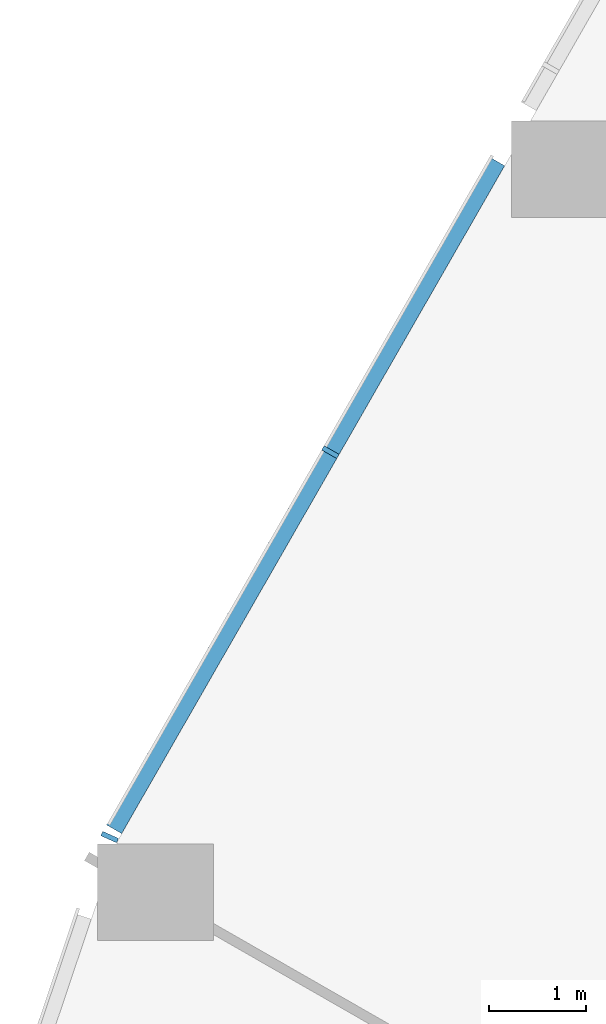
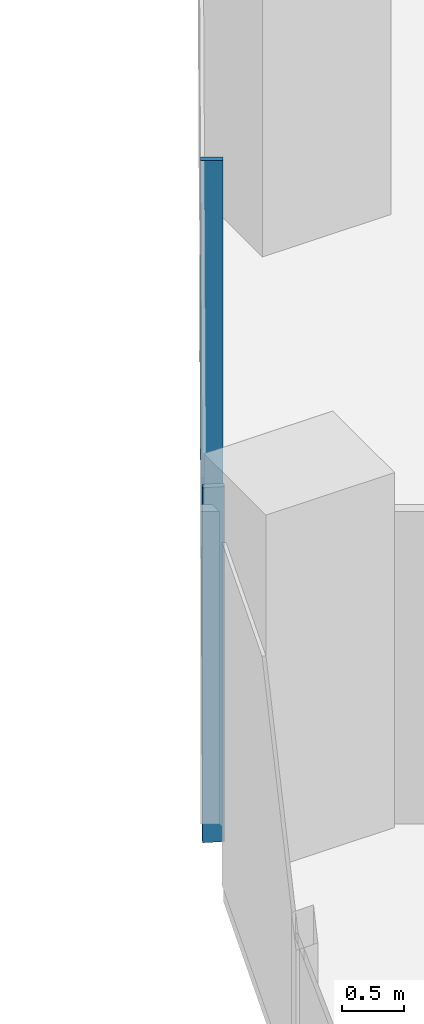
# One storey, part 4 of 34: 3 members, 1 element without a shape of its own.
"""IFC4 building model written with IfcOpenShell, lengths in metres."""

from ifc_helpers import new_model, si_unit, direction, frame, origin, origin_2d, place, context, subcontext, project, spatial, rectangle, extrude, material, material_profile, profile_set, type_object, element, aggregate, save


model = new_model("IFC4")

# Units and contexts
model_context = context("Model", 3, precision=1e-05, world=origin(), true_north=direction((0.0, 1.0)))
body_context = subcontext(model_context, "Body", "Model", "MODEL_VIEW")
ifc_project = project(units=[si_unit("LENGTHUNIT", "METRE"), si_unit("AREAUNIT", "SQUARE_METRE"), si_unit("VOLUMEUNIT", "CUBIC_METRE"), si_unit("PLANEANGLEUNIT", "RADIAN"), si_unit("MASSUNIT", "GRAM", prefix="KILO")], contexts=[model_context])

# Site, building, storey
site_placement = place(None, origin())
site = spatial("IfcSite", under=ifc_project, at=site_placement, CompositionType="ELEMENT")
building_placement = place(site_placement, origin())
building = spatial("IfcBuilding", under=site, at=building_placement, Name="Orlundy Tower", CompositionType="ELEMENT")
storey_placement = place(building_placement, frame((0.0, 0.0, 109.199951171875)))
storey = spatial("IfcBuildingStorey", under=building, at=storey_placement, Name="L27", CompositionType="ELEMENT", Elevation=109.199951171875)

# Curtain wall, members
ifc_material_1 = material(Name="Aluminium bronze anodised", Category="aluminium")
curtain_wall_type = type_object("IfcCurtainWallType", Name="CW1 wall", PredefinedType="NOTDEFINED", material=ifc_material_1)
curtain_wall_placement = place(storey_placement, origin())
curtain_wall = element("IfcCurtainWall", 1, at=curtain_wall_placement, inside=storey, type_object=curtain_wall_type, Name="CW1 run 012", PredefinedType="NOTDEFINED")
ifc_material_2 = material(Name="Aluminium bronze anodised", Category="aluminium")
ifc_material_profile_1 = material_profile(ifc_material_2, rectangle(XDim=0.179931640625, YDim=0.050048828125, at=origin_2d()), Name="CW1 mullion 50x180")
ifc_profile_set_1 = profile_set([ifc_material_profile_1], Name="Aluminium bronze anodised")
member_type_1 = type_object("IfcMemberType", Name="CW1 mullion 50x180", PredefinedType="MULLION", material=ifc_profile_set_1)
member_1_placement = place(storey_placement, frame((-42.305419921875, -33.386962890625, -0.39990234375), z_axis=(0.0, 0.0, 1.0), x_axis=(-0.912034315786, 0.410113894948, 0.0)))
member_1 = element("IfcMember", 2, at=member_1_placement, type_object=member_type_1, Name="CW1 mullion 26", PredefinedType="MULLION", context=body_context, shape_type="SweptSolid", body=[
    extrude(rectangle(XDim=0.179931640625, YDim=0.050048828125, at=origin_2d()), origin(), (0.0, 0.0, 1.0), 3.5),
])
member_2_placement = place(storey_placement, frame((-40.018310546875, -29.398681640625, -0.39990234375), z_axis=(0.0, 0.0, 1.0), x_axis=(-0.867482152182, 0.497468306172, 0.0)))
member_2 = element("IfcMember", 3, at=member_2_placement, type_object=member_type_1, Name="CW1 mullion 27", PredefinedType="MULLION", context=body_context, shape_type="SweptSolid", body=[
    extrude(rectangle(XDim=0.179931640625, YDim=0.050048828125, at=origin_2d()), origin(), (0.0, 0.0, 1.0), 3.5),
])
ifc_material_3 = material(Name="Aluminium bronze anodised", Category="aluminium")
ifc_material_profile_2 = material_profile(ifc_material_3, rectangle(XDim=0.179931640625, YDim=0.1201171875, at=origin_2d()), Name="CW1 transom 180x120")
ifc_profile_set_2 = profile_set([ifc_material_profile_2], Name="Aluminium bronze anodised")
member_type_2 = type_object("IfcMemberType", Name="CW1 transom 180x120", PredefinedType="USERDEFINED", material=ifc_profile_set_2)
member_3_placement = place(storey_placement, frame((-42.259033203125, -33.305908203125, -0.33984375), z_axis=(0.497466731285, 0.867483055318, 0.0), x_axis=(-0.867483055318, 0.497466731285, 0.0)))
member_3 = element("IfcMember", 4, at=member_3_placement, type_object=member_type_2, Name="CW1 transom", ObjectType="TRANSOM", PredefinedType="USERDEFINED", context=body_context, shape_type="SweptSolid", body=[
    extrude(rectangle(XDim=0.179931640625, YDim=0.1201171875, at=origin_2d()), origin(), (0.0, 0.0, 1.0), 7.9765625),
])
aggregate(curtain_wall, [member_1, member_2, member_3])

save(model, "model.ifc")
